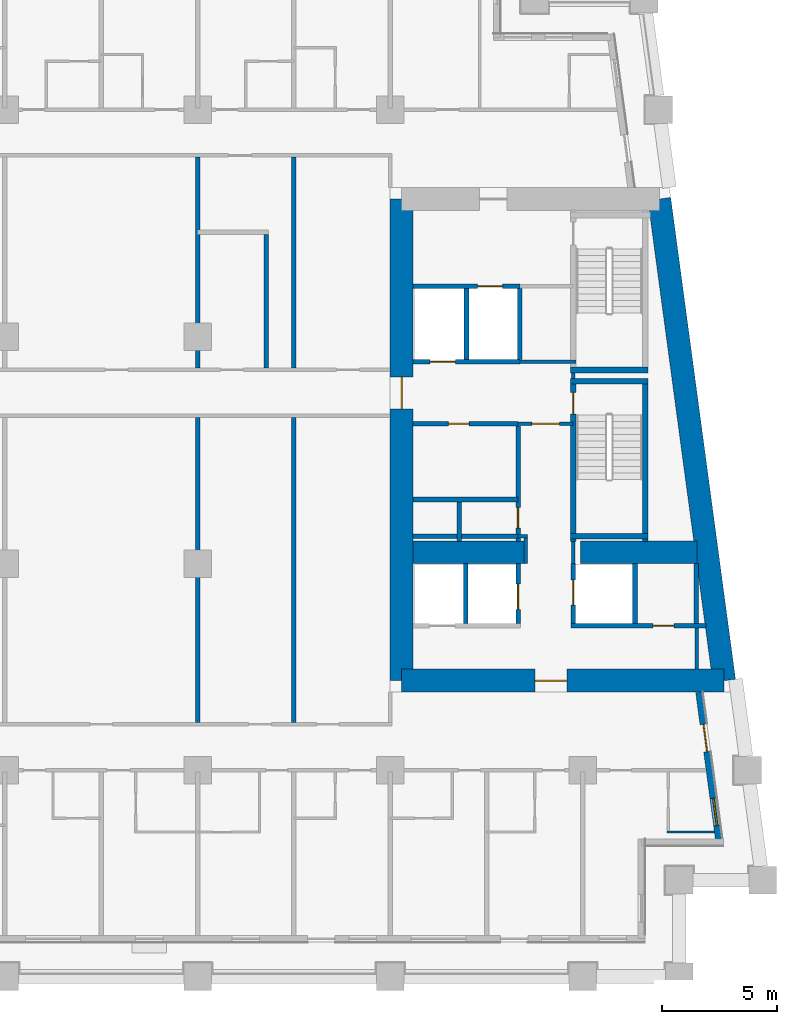
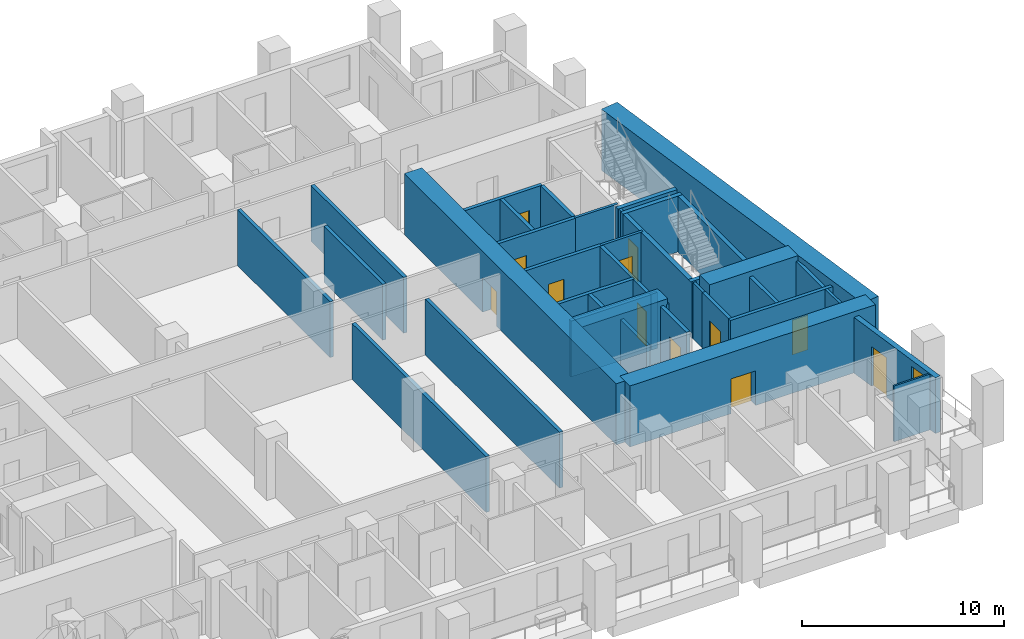
# One storey, part 6 of 14: 39 walls, 12 doors, 1 window, 13 openings.
"""IFC4 building model written with IfcOpenShell, lengths in metres."""

import ifcopenshell
import ifcopenshell.guid

model = None  # the IFC model being written
_history = None  # IfcOwnerHistory: only IFC2X3 demands one
_inside = {}  # id of a spatial element -> (the spatial element, [elements in it])
_under = {}  # id of a project, library or spatial element -> (it, [spatial elements below it])
_declared = {}  # id of a project -> (the project, [libraries it declares])
_typed = {}  # id of a type object -> (the type object, [elements of that type])
_made_of = {}  # id of a material, layer set ... -> (it, [elements and type objects made of it])


def new_model(schema):
    """Start an empty IFC model of exactly this schema.

    Asked for "IFC4X3", IfcOpenShell would pick the latest addendum, in which some entities
    have other attributes; the version numbers below select the first issue.
    IFC2X3 requires an IfcOwnerHistory on every rooted entity: one is made here for all.
    """
    global model, _history
    if schema == "IFC4X3":
        model = ifcopenshell.file(schema_version=(4, 3, 0, 0))
    else:
        model = ifcopenshell.file(schema=schema)
    _inside.clear()
    _under.clear()
    _declared.clear()
    _typed.clear()
    _made_of.clear()
    _history = None
    if model.schema == "IFC2X3":
        org = make("IfcOrganization", Name="unknown")
        user = make(
            "IfcPersonAndOrganization",
            ThePerson=make("IfcPerson", FamilyName="unknown"),
            TheOrganization=org,
        )
        app = make(
            "IfcApplication",
            ApplicationDeveloper=org,
            Version="unknown",
            ApplicationFullName="unknown",
            ApplicationIdentifier="unknown",
        )
        _history = make(
            "IfcOwnerHistory",
            OwningUser=user,
            OwningApplication=app,
            ChangeAction="ADDED",
            CreationDate=0,
        )
    return model


def make(cls, **values):
    """One entity of the class cls with the attributes given. An attribute that is None is left unset."""
    return model.create_entity(
        cls, **{name: value for name, value in values.items() if value is not None}
    )


def rooted(cls, **values):
    """An entity with a GlobalId (a new one), such as an element, a storey or a relation."""
    return make(cls, GlobalId=ifcopenshell.guid.new(), OwnerHistory=_history, **values)


def si_unit(unit_type, name, prefix=None):
    """IfcSIUnit, for example si_unit("LENGTHUNIT", "METRE", prefix="MILLI")."""
    return make("IfcSIUnit", UnitType=unit_type, Prefix=prefix, Name=name)


def assignment(units):
    """IfcUnitAssignment: the units of a project."""
    return None if units is None else make("IfcUnitAssignment", Units=units)


def point(xyz):
    """IfcCartesianPoint."""
    return None if xyz is None else make("IfcCartesianPoint", Coordinates=xyz)


def direction(xyz):
    """IfcDirection."""
    return None if xyz is None else make("IfcDirection", DirectionRatios=xyz)


def frame(location, z_axis=None, x_axis=None):
    """IfcAxis2Placement3D, a coordinate frame: its origin and axes. An axis left out is left unset."""
    return make(
        "IfcAxis2Placement3D",
        Location=point(location),
        Axis=direction(z_axis),
        RefDirection=direction(x_axis),
    )


def frame_2d(location, x_axis=None):
    """IfcAxis2Placement2D, a coordinate frame in the plane: its origin and x axis."""
    return make(
        "IfcAxis2Placement2D", Location=point(location), RefDirection=direction(x_axis)
    )


def origin():
    """The frame at (0, 0, 0) with its axes left unset."""
    return frame((0.0, 0.0, 0.0))


def place(relative_to, where):
    """IfcLocalPlacement: puts the frame where relative to a parent placement (None: the world)."""
    return make(
        "IfcLocalPlacement", PlacementRelTo=relative_to, RelativePlacement=where
    )


def context(
    kind, dimensions, precision=None, world=None, true_north=None, identifier=None
):
    """IfcGeometricRepresentationContext, for example the 3D "Model" context."""
    return make(
        "IfcGeometricRepresentationContext",
        ContextIdentifier=identifier,
        ContextType=kind,
        CoordinateSpaceDimension=dimensions,
        Precision=precision,
        WorldCoordinateSystem=world,
        TrueNorth=true_north,
    )


def subcontext(parent, identifier, kind, view, scale=None):
    """IfcGeometricRepresentationSubContext, for example "Body" below "Model"."""
    return make(
        "IfcGeometricRepresentationSubContext",
        ContextIdentifier=identifier,
        ContextType=kind,
        ParentContext=parent,
        TargetScale=scale,
        TargetView=view,
    )


def project(units=None, contexts=None):
    """IfcProject with its units and contexts."""
    return rooted(
        "IfcProject",
        Name="project",
        RepresentationContexts=contexts,
        UnitsInContext=assignment(units),
    )


def spatial(cls, under=None, at=None, **own):
    """A site, building, storey or space (cls), placed at a placement, below another one or the project."""
    s = rooted(cls, ObjectPlacement=at, **own)
    if under is not None:
        _under.setdefault(under.id(), (under, []))[1].append(s)
    return s


def profile(cls, at=None, kind="AREA", **sizes):
    """A parametric profile (cls). Its sizes go by their IFC names, for example OverallWidth=200.0."""
    return make(cls, ProfileType=kind, Position=at, **sizes)


def rectangle(**sizes):
    """IfcRectangleProfileDef."""
    return profile("IfcRectangleProfileDef", **sizes)


def extrude(swept, where, along, depth):
    """IfcExtrudedAreaSolid: the profile swept, set in the frame where, extruded along a direction by depth."""
    return make(
        "IfcExtrudedAreaSolid",
        SweptArea=swept,
        Position=where,
        ExtrudedDirection=direction(along),
        Depth=depth,
    )


def shape(context_of_items, identifier, shape_type, items):
    """IfcShapeRepresentation: the items that make up one representation, for example the "Body"."""
    return make(
        "IfcShapeRepresentation",
        ContextOfItems=context_of_items,
        RepresentationIdentifier=identifier,
        RepresentationType=shape_type,
        Items=items,
    )


def material(Name=None, Category=None):
    """IfcMaterial."""
    return make("IfcMaterial", Name=Name, Category=Category)


def layer(
    of_material, thickness, ventilated=None, Name=None, Category=None, Priority=None
):
    """IfcMaterialLayer: one layer of a wall or slab, of a material (None: an air gap)."""
    return make(
        "IfcMaterialLayer",
        Material=of_material,
        LayerThickness=thickness,
        IsVentilated=ventilated,
        Name=Name,
        Category=Category,
        Priority=Priority,
    )


def layer_set(layers, Name=None):
    """IfcMaterialLayerSet."""
    return make("IfcMaterialLayerSet", MaterialLayers=layers, LayerSetName=Name)


def made_of(thing, what):
    """Note that an element or type object is made of a material, layer set ...; save() writes the relation."""
    if what is not None:
        _made_of.setdefault(what.id(), (what, []))[1].append(thing)
    return thing


def type_object(cls, material=None, **own):
    """A type object (cls), such as IfcWallType, which elements share."""
    return made_of(rooted(cls, **own), material)


def element(
    cls,
    number,
    at=None,
    inside=None,
    cuts=None,
    type_object=None,
    material=None,
    context=None,
    identifier="Body",
    shape_type=None,
    held_by="IfcProductDefinitionShape",
    body=None,
    shapes=None,
    **own,
):
    """One element of the class cls, such as IfcWall. Its Tag is "e" and its number.

    at: its placement. inside: the storey or other place that contains it. cuts: it is an
    opening in that element (IfcRelVoidsElement). A single representation is given by context,
    identifier, shape_type and body (its items); several are given by shapes. held_by: the class
    of the entity that holds the representations. save() writes the other relations.
    """
    e = rooted(cls, Tag="e%d" % number, ObjectPlacement=at, **own)
    if body is not None:
        shapes = [shape(context, identifier, shape_type, body)]
    if shapes is not None:
        e.Representation = make(held_by, Representations=shapes)
    if inside is not None:
        _inside.setdefault(inside.id(), (inside, []))[1].append(e)
    if cuts is not None:
        rooted(
            "IfcRelVoidsElement", RelatingBuildingElement=cuts, RelatedOpeningElement=e
        )
    if type_object is not None:
        _typed.setdefault(type_object.id(), (type_object, []))[1].append(e)
    return made_of(e, material)


def fill(opening, filler):
    """IfcRelFillsElement: the door or window that sits in an opening."""
    return rooted(
        "IfcRelFillsElement",
        RelatingOpeningElement=opening,
        RelatedBuildingElement=filler,
    )


def aggregate(whole, parts):
    """IfcRelAggregates: a whole, such as a stair, and the parts it consists of."""
    return rooted("IfcRelAggregates", RelatingObject=whole, RelatedObjects=parts)


def save(model, path):
    """Write the relations noted so far, then the file.

    IfcRelAggregates (storeys below a building ...), IfcRelContainedInSpatialStructure (elements
    in a storey), IfcRelDefinesByType, IfcRelAssociatesMaterial and IfcRelDeclares: one each for
    every whole, place, type object, material and project.
    """
    for whole, parts in _under.values():
        aggregate(whole, parts)
    for where, things in _inside.values():
        rooted(
            "IfcRelContainedInSpatialStructure",
            RelatedElements=things,
            RelatingStructure=where,
        )
    for kind, things in _typed.values():
        rooted("IfcRelDefinesByType", RelatedObjects=things, RelatingType=kind)
    for what, things in _made_of.values():
        rooted("IfcRelAssociatesMaterial", RelatedObjects=things, RelatingMaterial=what)
    for by, libraries in _declared.values():
        rooted("IfcRelDeclares", RelatingContext=by, RelatedDefinitions=libraries)
    model.write(path)


model = new_model("IFC4")

# Units and contexts
model_context = context("Model", 3, precision=1e-05, world=origin(), true_north=direction((0.0, 1.0)))
body_context = subcontext(model_context, "Body", "Model", "MODEL_VIEW")
ifc_project = project(units=[si_unit("LENGTHUNIT", "METRE"), si_unit("AREAUNIT", "SQUARE_METRE"), si_unit("VOLUMEUNIT", "CUBIC_METRE"), si_unit("PLANEANGLEUNIT", "RADIAN"), si_unit("MASSUNIT", "GRAM", prefix="KILO")], contexts=[model_context])

# Site, building, storey
site_placement = place(None, origin())
site = spatial("IfcSite", under=ifc_project, at=site_placement, CompositionType="ELEMENT")
building_placement = place(site_placement, origin())
building = spatial("IfcBuilding", under=site, at=building_placement, Name="Candeia Pilgrim Tower and Theatre", CompositionType="ELEMENT")
storey_placement = place(building_placement, frame((0.0, 0.0, 124.300048828125)))
storey = spatial("IfcBuildingStorey", under=building, at=storey_placement, Name="L29", CompositionType="ELEMENT", Elevation=124.300048828125)

# Wall
ifc_material_1 = material(Name="Concrete C70/85", Category="concrete")
ifc_layer_1 = layer(ifc_material_1, 1.0)
ifc_layer_set_1 = layer_set([ifc_layer_1], Name="Core wall 1000 C70/85")
wall_type_1 = type_object("IfcWallType", Name="Core wall 1000 C70/85", PredefinedType="SHEAR", material=ifc_layer_set_1)
wall_1_placement = place(storey_placement, frame((137.73193359375, 131.89990234375, 0.0), z_axis=(0.0, 0.0, 1.0), x_axis=(0.133411141623, -0.991060778808, 0.0)))
element("IfcWall", 1, at=wall_1_placement, inside=storey, type_object=wall_type_1, Name="Core wall E2", PredefinedType="SHEAR", context=body_context, shape_type="SweptSolid", body=[
    extrude(rectangle(XDim=21.189453125, YDim=1.0, at=frame_2d((10.5947265625, 0.0))), origin(), (0.0, 0.0, 1.0), 3.699951171875),
])

# Wall, opening, door
wall_2_placement = place(storey_placement, frame((140.558837890625, 110.89990234375, 0.0), z_axis=(0.0, 0.0, 1.0), x_axis=(-1.0, 0.0, 0.0)))
wall_2 = element("IfcWall", 2, at=wall_2_placement, inside=storey, type_object=wall_type_1, Name="Core wall E3", PredefinedType="SHEAR", context=body_context, shape_type="SweptSolid", body=[
    extrude(rectangle(XDim=14.058837890625, YDim=1.0, at=frame_2d((7.029296875, 0.0))), origin(), (0.0, 0.0, 1.0), 3.699951171875),
])
opening_1_placement = place(wall_2_placement, frame((6.857666015625, 0.0, 0.0)))
opening_1 = element("IfcOpeningElement", 3, at=opening_1_placement, cuts=wall_2, Name="Opening L29-D069", PredefinedType="OPENING", context=body_context, shape_type="SweptSolid", body=[
    extrude(rectangle(XDim=1.39990234375, YDim=2.10009765625, at=frame_2d((0.699951171875, 1.050048828125))), frame((0.0, 0.510009765625, 0.0), z_axis=(0.0, -1.0, 0.0), x_axis=(1.0, 0.0, 0.0)), (0.0, 0.0, 1.0), 1.02001953125),
])
ifc_material_2 = material(Name="Steel fire door set", Category="steel")
door_type_1 = type_object("IfcDoorType", Name="D-1400-FD60", OperationType="NOTDEFINED", PredefinedType="DOOR", material=ifc_material_2)
door_1_placement = place(opening_1_placement, origin())
door_1 = element("IfcDoor", 4, at=door_1_placement, inside=storey, type_object=door_type_1, Name="Door L29-D069", OperationType="SINGLE_SWING_RIGHT", OverallHeight=2.10009765625, OverallWidth=1.39990234375, PredefinedType="DOOR", context=body_context, shape_type="SweptSolid", body=[
    extrude(rectangle(XDim=1.39990234375, YDim=2.10009765625, at=frame_2d((0.699951171875, 1.050048828125))), frame((0.0, 0.02490234375, 0.0), z_axis=(0.0, -1.0, 0.0), x_axis=(1.0, 0.0, 0.0)), (0.0, 0.0, 1.0), 0.050048828125),
])
fill(opening_1, door_1)

wall_3_placement = place(storey_placement, frame((126.5, 110.89990234375, 0.0), z_axis=(0.0, 0.0, 1.0), x_axis=(0.0, 1.0, 0.0)))
wall_3 = element("IfcWall", 5, at=wall_3_placement, inside=storey, type_object=wall_type_1, Name="Core wall E4", PredefinedType="SHEAR", context=body_context, shape_type="SweptSolid", body=[
    extrude(rectangle(XDim=21.0, YDim=1.0, at=frame_2d((10.5, 0.0))), origin(), (0.0, 0.0, 1.0), 3.699951171875),
])
opening_2_placement = place(wall_3_placement, frame((11.85009765625, 0.0, 0.0)))
opening_2 = element("IfcOpeningElement", 6, at=opening_2_placement, cuts=wall_3, Name="Opening L29-D071", PredefinedType="OPENING", context=body_context, shape_type="SweptSolid", body=[
    extrude(rectangle(XDim=1.39990234375, YDim=2.10009765625, at=frame_2d((0.699951171875, 1.050048828125))), frame((0.0, 0.510009765625, 0.0), z_axis=(0.0, -1.0, 0.0), x_axis=(1.0, 0.0, 0.0)), (0.0, 0.0, 1.0), 1.02001953125),
])
door_2_placement = place(opening_2_placement, origin())
door_2 = element("IfcDoor", 7, at=door_2_placement, inside=storey, type_object=door_type_1, Name="Door L29-D071", OperationType="SINGLE_SWING_RIGHT", OverallHeight=2.10009765625, OverallWidth=1.39990234375, PredefinedType="DOOR", context=body_context, shape_type="SweptSolid", body=[
    extrude(rectangle(XDim=1.39990234375, YDim=2.10009765625, at=frame_2d((0.699951171875, 1.050048828125))), frame((0.0, 0.02490234375, 0.0), z_axis=(0.0, -1.0, 0.0), x_axis=(1.0, 0.0, 0.0)), (0.0, 0.0, 1.0), 0.050048828125),
])
fill(opening_2, door_2)

# Walls
wall_4_placement = place(storey_placement, frame((127.0, 116.5, 0.0), z_axis=(0.0, 0.0, 1.0), x_axis=(1.0, 0.0, 0.0)))
element("IfcWall", 8, at=wall_4_placement, inside=storey, type_object=wall_type_1, Name="Core wall E5", PredefinedType="SHEAR", context=body_context, shape_type="SweptSolid", body=[
    extrude(rectangle(XDim=4.89990234375, YDim=1.0, at=frame_2d((2.449951171875, 0.0))), origin(), (0.0, 0.0, 1.0), 3.699951171875),
])
wall_5_placement = place(storey_placement, frame((134.300048828125, 116.5, 0.0), z_axis=(0.0, 0.0, 1.0), x_axis=(1.0, 0.0, 0.0)))
element("IfcWall", 9, at=wall_5_placement, inside=storey, type_object=wall_type_1, Name="Core wall E6", PredefinedType="SHEAR", context=body_context, shape_type="SweptSolid", body=[
    extrude(rectangle(XDim=5.076904296875, YDim=1.0, at=frame_2d((2.53857421875, 0.0))), origin(), (0.0, 0.0, 1.0), 3.699951171875),
])

# Wall, openings, door, window
ifc_material_3 = material(Name="Ceramic block masonry", Category="masonry")
ifc_layer_2 = layer(ifc_material_3, 0.300048828125)
ifc_layer_set_2 = layer_set([ifc_layer_2], Name="EW1 glazing-line wall 300")
wall_type_2 = type_object("IfcWallType", Name="EW1 glazing-line wall 300", PredefinedType="SOLIDWALL", material=ifc_layer_set_2)
wall_6_placement = place(storey_placement, frame((140.34765625, 103.85009765625, 0.0), z_axis=(0.0, 0.0, 1.0), x_axis=(-0.133431549479, 0.991058031401, 0.0)))
wall_6 = element("IfcWall", 10, at=wall_6_placement, inside=storey, type_object=wall_type_2, Name="External wall L29-3.0", PredefinedType="SOLIDWALL", context=body_context, shape_type="SweptSolid", body=[
    extrude(rectangle(XDim=6.60888671875, YDim=0.300048828125, at=frame_2d((3.304443359375, 0.0))), origin(), (0.0, 0.0, 1.0), 3.3798828125),
])
opening_3_placement = place(wall_6_placement, frame((0.736572265625, 0.0, 0.89990234375)))
opening_3 = element("IfcOpeningElement", 11, at=opening_3_placement, cuts=wall_6, Name="Opening W-B", PredefinedType="OPENING", context=body_context, shape_type="SweptSolid", body=[
    extrude(rectangle(XDim=1.199951171875, YDim=2.10009765625, at=frame_2d((0.60009765625, 1.050048828125))), frame((0.0, 0.16015625, 0.0), z_axis=(0.0, -1.0, 0.0), x_axis=(1.0, 0.0, 0.0)), (0.0, 0.0, 1.0), 0.320068359375),
])
opening_4_placement = place(wall_6_placement, frame((3.990966796875, 0.0, 0.0)))
opening_4 = element("IfcOpeningElement", 12, at=opening_4_placement, cuts=wall_6, Name="Opening L29-ED293", PredefinedType="OPENING", context=body_context, shape_type="SweptSolid", body=[
    extrude(rectangle(XDim=1.199951171875, YDim=2.39990234375, at=frame_2d((0.60009765625, 1.199951171875))), frame((0.0, 0.16015625, 0.0), z_axis=(0.0, -1.0, 0.0), x_axis=(1.0, 0.0, 0.0)), (0.0, 0.0, 1.0), 0.320068359375),
])
ifc_material_4 = material(Name="Aluminium framed glazed door", Category="aluminium")
door_type_2 = type_object("IfcDoorType", Name="Loggia door 1200x2400", OperationType="DOUBLE_DOOR_SINGLE_SWING", PredefinedType="DOOR", material=ifc_material_4)
door_3_placement = place(opening_4_placement, origin())
door_3 = element("IfcDoor", 13, at=door_3_placement, inside=storey, type_object=door_type_2, Name="Loggia door L29-ED293", OperationType="DOUBLE_DOOR_SINGLE_SWING", OverallHeight=2.39990234375, OverallWidth=1.199951171875, PredefinedType="DOOR", context=body_context, shape_type="SweptSolid", body=[
    extrude(rectangle(XDim=1.199951171875, YDim=2.39990234375, at=frame_2d((0.60009765625, 1.199951171875))), frame((0.0, 0.02490234375, 0.0), z_axis=(0.0, -1.0, 0.0), x_axis=(1.0, 0.0, 0.0)), (0.0, 0.0, 1.0), 0.050048828125),
])
fill(opening_4, door_3)
ifc_material_5 = material(Name="Aluminium framed double glazing", Category="aluminium")
window_type = type_object("IfcWindowType", Name="W-B window 1200x2100", PartitioningType="SINGLE_PANEL", PredefinedType="WINDOW", material=ifc_material_5)
window_placement = place(opening_3_placement, origin())
window = element("IfcWindow", 14, at=window_placement, inside=storey, type_object=window_type, Name="Window W-B L29", OverallHeight=2.10009765625, OverallWidth=1.199951171875, PartitioningType="SINGLE_PANEL", PredefinedType="WINDOW", context=body_context, shape_type="SweptSolid", body=[
    extrude(rectangle(XDim=1.199951171875, YDim=2.10009765625, at=frame_2d((0.60009765625, 1.050048828125))), frame((0.0, 0.030029296875, 0.0), z_axis=(0.0, -1.0, 0.0), x_axis=(1.0, 0.0, 0.0)), (0.0, 0.0, 1.0), 0.06005859375),
])
fill(opening_3, window)

# Walls
ifc_material_6 = material(Name="Gypsum board partition on steel studs", Category="steel")
ifc_layer_3 = layer(ifc_material_6, 0.10009765625)
ifc_layer_set_3 = layer_set([ifc_layer_3], Name="PW-100 room partition")
wall_type_3 = type_object("IfcWallType", Name="PW-100 room partition", PredefinedType="PARTITIONING", material=ifc_layer_set_3)
wall_7_placement = place(storey_placement, frame((138.070068359375, 104.300048828125, 0.0), z_axis=(0.0, 0.0, 1.0), x_axis=(1.0, 0.0, 0.0)))
element("IfcWall", 15, at=wall_7_placement, inside=storey, type_object=wall_type_3, Name="Room partition L29-003", PredefinedType="PARTITIONING", context=body_context, shape_type="SweptSolid", body=[
    extrude(rectangle(XDim=2.07568359375, YDim=0.10009765625, at=frame_2d((1.037841796875, 0.0))), origin(), (0.0, 0.0, 1.0), 3.3798828125),
])
ifc_layer_4 = layer(ifc_material_6, 0.14990234375)
ifc_layer_set_4 = layer_set([ifc_layer_4], Name="PW-150 lobby wall")
wall_type_4 = type_object("IfcWallType", Name="PW-150 lobby wall", PredefinedType="PARTITIONING", material=ifc_layer_set_4)
wall_8_placement = place(storey_placement, frame((131.572998046875, 117.199951171875, 0.0), z_axis=(0.0, 0.0, 1.0), x_axis=(1.0, 0.0, 0.0)))
element("IfcWall", 16, at=wall_8_placement, inside=storey, type_object=wall_type_4, Name="Lobby wall L29-021", PredefinedType="PARTITIONING", context=body_context, shape_type="SweptSolid", body=[
    extrude(rectangle(XDim=0.402099609375, YDim=0.14990234375, at=frame_2d((0.201171875, 0.0))), origin(), (0.0, 0.0, 1.0), 3.3798828125),
])

# Wall, opening, door
wall_9_placement = place(storey_placement, frame((131.572998046875, 122.10009765625, 0.0), z_axis=(0.0, 0.0, 1.0), x_axis=(1.0, 0.0, 0.0)))
wall_9 = element("IfcWall", 17, at=wall_9_placement, inside=storey, type_object=wall_type_4, Name="Lobby wall L29-029", PredefinedType="PARTITIONING", context=body_context, shape_type="SweptSolid", body=[
    extrude(rectangle(XDim=2.39990234375, YDim=0.14990234375, at=frame_2d((1.199951171875, 0.0))), origin(), (0.0, 0.0, 1.0), 3.3798828125),
])
opening_5_placement = place(wall_9_placement, frame((0.60009765625, 0.0, 0.0)))
opening_5 = element("IfcOpeningElement", 18, at=opening_5_placement, cuts=wall_9, Name="Opening L29-D008", PredefinedType="OPENING", context=body_context, shape_type="SweptSolid", body=[
    extrude(rectangle(XDim=1.199951171875, YDim=2.10009765625, at=frame_2d((0.60009765625, 1.050048828125))), frame((0.0, 0.0849609375, 0.0), z_axis=(0.0, -1.0, 0.0), x_axis=(1.0, 0.0, 0.0)), (0.0, 0.0, 1.0), 0.169921875),
])
door_type_3 = type_object("IfcDoorType", Name="D-1200-FD60", OperationType="NOTDEFINED", PredefinedType="DOOR", material=ifc_material_2)
door_4_placement = place(opening_5_placement, origin())
door_4 = element("IfcDoor", 19, at=door_4_placement, inside=storey, type_object=door_type_3, Name="Door L29-D008", OperationType="SINGLE_SWING_RIGHT", OverallHeight=2.10009765625, OverallWidth=1.199951171875, PredefinedType="DOOR", context=body_context, shape_type="SweptSolid", body=[
    extrude(rectangle(XDim=1.199951171875, YDim=2.10009765625, at=frame_2d((0.60009765625, 1.050048828125))), frame((0.0, 0.02490234375, 0.0), z_axis=(0.0, -1.0, 0.0), x_axis=(1.0, 0.0, 0.0)), (0.0, 0.0, 1.0), 0.050048828125),
])
fill(opening_5, door_4)

# Walls
wall_10_placement = place(storey_placement, frame((131.648681640625, 124.800048828125, 0.0), z_axis=(0.0, 0.0, 1.0), x_axis=(1.0, 0.0, 0.0)))
element("IfcWall", 20, at=wall_10_placement, inside=storey, type_object=wall_type_4, Name="Lobby wall L29-038", PredefinedType="PARTITIONING", context=body_context, shape_type="SweptSolid", body=[
    extrude(rectangle(XDim=2.44921875, YDim=0.14990234375, at=frame_2d((1.224609375, 0.0))), origin(), (0.0, 0.0, 1.0), 3.3798828125),
])
wall_11_placement = place(storey_placement, frame((131.89990234375, 116.0, 0.0), z_axis=(0.0, 0.0, 1.0), x_axis=(0.0, 1.0, 0.0)))
element("IfcWall", 21, at=wall_11_placement, inside=storey, type_object=wall_type_4, Name="Lobby wall L29-124", PredefinedType="PARTITIONING", context=body_context, shape_type="SweptSolid", body=[
    extrude(rectangle(XDim=1.125, YDim=0.14990234375, at=frame_2d((0.5625, 0.0))), origin(), (0.0, 0.0, 1.0), 3.3798828125),
])
wall_12_placement = place(storey_placement, frame((133.972900390625, 116.0, 0.0), z_axis=(0.0, 0.0, 1.0), x_axis=(0.0, 1.0, 0.0)))
element("IfcWall", 22, at=wall_12_placement, inside=storey, type_object=wall_type_4, Name="Lobby wall L29-128", PredefinedType="PARTITIONING", context=body_context, shape_type="SweptSolid", body=[
    extrude(rectangle(XDim=0.969970703125, YDim=0.14990234375, at=frame_2d((0.48486328125, 0.0))), origin(), (0.0, 0.0, 1.0), 3.3798828125),
])
wall_13_placement = place(storey_placement, frame((133.972900390625, 124.074951171875, 0.0), z_axis=(0.0, 0.0, 1.0), x_axis=(0.0, 1.0, 0.0)))
element("IfcWall", 23, at=wall_13_placement, inside=storey, type_object=wall_type_4, Name="Lobby wall L29-129", PredefinedType="PARTITIONING", context=body_context, shape_type="SweptSolid", body=[
    extrude(rectangle(XDim=0.25, YDim=0.14990234375, at=frame_2d((0.125, 0.0))), origin(), (0.0, 0.0, 1.0), 3.3798828125),
])
wall_14_placement = place(storey_placement, frame((139.37109375, 111.39990234375, 0.0), z_axis=(0.0, 0.0, 1.0), x_axis=(0.0, 1.0, 0.0)))
element("IfcWall", 24, at=wall_14_placement, inside=storey, type_object=wall_type_4, Name="Lobby wall L29-138", PredefinedType="PARTITIONING", context=body_context, shape_type="SweptSolid", body=[
    extrude(rectangle(XDim=1.800048828125, YDim=0.14990234375, at=frame_2d((0.89990234375, 0.0))), origin(), (0.0, 0.0, 1.0), 3.3798828125),
])
ifc_layer_5 = layer(ifc_material_6, 0.199951171875)
ifc_layer_set_5 = layer_set([ifc_layer_5], Name="PW-200 party wall")
wall_type_5 = type_object("IfcWallType", Name="PW-200 party wall", PredefinedType="PARTITIONING", material=ifc_layer_set_5)
wall_15_placement = place(storey_placement, frame((117.60009765625, 109.074951171875, 0.0), z_axis=(0.0, 0.0, 1.0), x_axis=(0.0, 1.0, 0.0)))
element("IfcWall", 25, at=wall_15_placement, inside=storey, type_object=wall_type_5, Name="Party wall L29-099", PredefinedType="PARTITIONING", context=body_context, shape_type="SweptSolid", body=[
    extrude(rectangle(XDim=13.300048828125, YDim=0.199951171875, at=frame_2d((6.64990234375, 0.0))), origin(), (0.0, 0.0, 1.0), 3.3798828125),
])
wall_16_placement = place(storey_placement, frame((117.60009765625, 124.52490234375, 0.0), z_axis=(0.0, 0.0, 1.0), x_axis=(0.0, 1.0, 0.0)))
element("IfcWall", 26, at=wall_16_placement, inside=storey, type_object=wall_type_5, Name="Party wall L29-100", PredefinedType="PARTITIONING", context=body_context, shape_type="SweptSolid", body=[
    extrude(rectangle(XDim=9.2001953125, YDim=0.199951171875, at=frame_2d((4.60009765625, 0.0))), origin(), (0.0, 0.0, 1.0), 3.3798828125),
])
wall_17_placement = place(storey_placement, frame((120.60009765625, 124.52490234375, 0.0), z_axis=(0.0, 0.0, 1.0), x_axis=(0.0, 1.0, 0.0)))
element("IfcWall", 27, at=wall_17_placement, inside=storey, type_object=wall_type_5, Name="Party wall L29-104", PredefinedType="PARTITIONING", context=body_context, shape_type="SweptSolid", body=[
    extrude(rectangle(XDim=5.8251953125, YDim=0.199951171875, at=frame_2d((2.91259765625, 0.0))), origin(), (0.0, 0.0, 1.0), 3.3798828125),
])
wall_18_placement = place(storey_placement, frame((121.800048828125, 109.074951171875, 0.0), z_axis=(0.0, 0.0, 1.0), x_axis=(0.0, 1.0, 0.0)))
element("IfcWall", 28, at=wall_18_placement, inside=storey, type_object=wall_type_5, Name="Party wall L29-106", PredefinedType="PARTITIONING", context=body_context, shape_type="SweptSolid", body=[
    extrude(rectangle(XDim=13.300048828125, YDim=0.199951171875, at=frame_2d((6.64990234375, 0.0))), origin(), (0.0, 0.0, 1.0), 3.3798828125),
])
wall_19_placement = place(storey_placement, frame((121.800048828125, 124.52490234375, 0.0), z_axis=(0.0, 0.0, 1.0), x_axis=(0.0, 1.0, 0.0)))
element("IfcWall", 29, at=wall_19_placement, inside=storey, type_object=wall_type_5, Name="Party wall L29-107", PredefinedType="PARTITIONING", context=body_context, shape_type="SweptSolid", body=[
    extrude(rectangle(XDim=9.2001953125, YDim=0.199951171875, at=frame_2d((4.60009765625, 0.0))), origin(), (0.0, 0.0, 1.0), 3.3798828125),
])

# Wall, opening, door
ifc_material_7 = material(Name="Concrete C40/50", Category="concrete")
ifc_layer_6 = layer(ifc_material_7, 0.199951171875)
ifc_layer_set_6 = layer_set([ifc_layer_6], Name="SW-200 shaft wall")
wall_type_6 = type_object("IfcWallType", Name="SW-200 shaft wall", PredefinedType="PARTITIONING", material=ifc_layer_set_6)
wall_20_placement = place(storey_placement, frame((133.873046875, 113.300048828125, 0.0), z_axis=(0.0, 0.0, 1.0), x_axis=(1.0, 0.0, 0.0)))
wall_20 = element("IfcWall", 30, at=wall_20_placement, inside=storey, type_object=wall_type_6, Name="Shaft wall L29-017", PredefinedType="PARTITIONING", context=body_context, shape_type="SweptSolid", body=[
    extrude(rectangle(XDim=5.888427734375, YDim=0.199951171875, at=frame_2d((2.9443359375, 0.0))), origin(), (0.0, 0.0, 1.0), 3.3798828125),
])
opening_6_placement = place(wall_20_placement, frame((3.589111328125, 0.0, 0.0)))
opening_6 = element("IfcOpeningElement", 31, at=opening_6_placement, cuts=wall_20, Name="Opening L29-D013", PredefinedType="OPENING", context=body_context, shape_type="SweptSolid", body=[
    extrude(rectangle(XDim=0.89990234375, YDim=2.10009765625, at=frame_2d((0.449951171875, 1.050048828125))), frame((0.0, 0.10986328125, 0.0), z_axis=(0.0, -1.0, 0.0), x_axis=(1.0, 0.0, 0.0)), (0.0, 0.0, 1.0), 0.219970703125),
])
door_type_4 = type_object("IfcDoorType", Name="D-900-FD60", OperationType="NOTDEFINED", PredefinedType="DOOR", material=ifc_material_2)
door_5_placement = place(opening_6_placement, origin())
door_5 = element("IfcDoor", 32, at=door_5_placement, inside=storey, type_object=door_type_4, Name="Door L29-D013", OperationType="SINGLE_SWING_RIGHT", OverallHeight=2.10009765625, OverallWidth=0.89990234375, PredefinedType="DOOR", context=body_context, shape_type="SweptSolid", body=[
    extrude(rectangle(XDim=0.89990234375, YDim=2.10009765625, at=frame_2d((0.449951171875, 1.050048828125))), frame((0.0, 0.02490234375, 0.0), z_axis=(0.0, -1.0, 0.0), x_axis=(1.0, 0.0, 0.0)), (0.0, 0.0, 1.0), 0.050048828125),
])
fill(opening_6, door_5)

# Walls
for number, where, z_axis, x_axis, name in (
    (33, (127.0, 117.199951171875, 0.0), (0.0, 0.0, 1.0), (1.0, 0.0, 0.0), "Shaft wall L29-019"),
    (34, (127.0, 118.800048828125, 0.0), (0.0, 0.0, 1.0), (1.0, 0.0, 0.0), "Shaft wall L29-025"),
):
    element("IfcWall", number, at=place(storey_placement, frame(where, z_axis=z_axis, x_axis=x_axis)), inside=storey, type_object=wall_type_6, Name=name, PredefinedType="PARTITIONING", context=body_context, shape_type="SweptSolid", body=[
        extrude(rectangle(XDim=4.572998046875, YDim=0.199951171875, at=frame_2d((2.28662109375, 0.0))), origin(), (0.0, 0.0, 1.0), 3.3798828125),
    ])

# Wall, opening, door
wall_21_placement = place(storey_placement, frame((127.0, 122.10009765625, 0.0), z_axis=(0.0, 0.0, 1.0), x_axis=(1.0, 0.0, 0.0)))
wall_21 = element("IfcWall", 35, at=wall_21_placement, inside=storey, type_object=wall_type_6, Name="Shaft wall L29-027", PredefinedType="PARTITIONING", context=body_context, shape_type="SweptSolid", body=[
    extrude(rectangle(XDim=4.572998046875, YDim=0.199951171875, at=frame_2d((2.28662109375, 0.0))), origin(), (0.0, 0.0, 1.0), 3.3798828125),
])
opening_7_placement = place(wall_21_placement, frame((1.5390625, 0.0, 0.0)))
opening_7 = element("IfcOpeningElement", 36, at=opening_7_placement, cuts=wall_21, Name="Opening L29-D009", PredefinedType="OPENING", context=body_context, shape_type="SweptSolid", body=[
    extrude(rectangle(XDim=0.89990234375, YDim=2.10009765625, at=frame_2d((0.449951171875, 1.050048828125))), frame((0.0, 0.10986328125, 0.0), z_axis=(0.0, -1.0, 0.0), x_axis=(1.0, 0.0, 0.0)), (0.0, 0.0, 1.0), 0.219970703125),
])
door_6_placement = place(opening_7_placement, origin())
door_6 = element("IfcDoor", 37, at=door_6_placement, inside=storey, type_object=door_type_4, Name="Door L29-D009", OperationType="SINGLE_SWING_LEFT", OverallHeight=2.10009765625, OverallWidth=0.89990234375, PredefinedType="DOOR", context=body_context, shape_type="SweptSolid", body=[
    extrude(rectangle(XDim=0.89990234375, YDim=2.10009765625, at=frame_2d((0.449951171875, 1.050048828125))), frame((0.0, 0.02490234375, 0.0), z_axis=(0.0, -1.0, 0.0), x_axis=(1.0, 0.0, 0.0)), (0.0, 0.0, 1.0), 0.050048828125),
])
fill(opening_7, door_6)

wall_22_placement = place(storey_placement, frame((127.0, 124.800048828125, 0.0), z_axis=(0.0, 0.0, 1.0), x_axis=(1.0, 0.0, 0.0)))
wall_22 = element("IfcWall", 38, at=wall_22_placement, inside=storey, type_object=wall_type_6, Name="Shaft wall L29-037", PredefinedType="PARTITIONING", context=body_context, shape_type="SweptSolid", body=[
    extrude(rectangle(XDim=4.648681640625, YDim=0.199951171875, at=frame_2d((2.32421875, 0.0))), origin(), (0.0, 0.0, 1.0), 3.3798828125),
])
opening_8_placement = place(wall_22_placement, frame((0.742919921875, 0.0, 0.0)))
opening_8 = element("IfcOpeningElement", 39, at=opening_8_placement, cuts=wall_22, Name="Opening L29-LD05", PredefinedType="OPENING", context=body_context, shape_type="SweptSolid", body=[
    extrude(rectangle(XDim=1.10009765625, YDim=2.10009765625, at=frame_2d((0.550048828125, 1.050048828125))), frame((0.0, 0.10986328125, 0.0), z_axis=(0.0, -1.0, 0.0), x_axis=(1.0, 0.0, 0.0)), (0.0, 0.0, 1.0), 0.219970703125),
])
ifc_material_8 = material(Name="Glazed aluminium landing door", Category="aluminium")
door_type_5 = type_object("IfcDoorType", Name="LD-1100-EI120", OperationType="SLIDING_TO_LEFT", PredefinedType="DOOR", material=ifc_material_8)
door_7_placement = place(opening_8_placement, origin())
door_7 = element("IfcDoor", 40, at=door_7_placement, inside=storey, type_object=door_type_5, Name="Landing door 05 L29", OperationType="SLIDING_TO_LEFT", OverallHeight=2.10009765625, OverallWidth=1.10009765625, PredefinedType="DOOR", context=body_context, shape_type="SweptSolid", body=[
    extrude(rectangle(XDim=1.10009765625, YDim=2.10009765625, at=frame_2d((0.550048828125, 1.050048828125))), frame((0.0, 0.02490234375, 0.0), z_axis=(0.0, -1.0, 0.0), x_axis=(1.0, 0.0, 0.0)), (0.0, 0.0, 1.0), 0.050048828125),
])
fill(opening_8, door_7)

wall_23_placement = place(storey_placement, frame((127.0, 128.10009765625, 0.0), z_axis=(0.0, 0.0, 1.0), x_axis=(1.0, 0.0, 0.0)))
wall_23 = element("IfcWall", 41, at=wall_23_placement, inside=storey, type_object=wall_type_6, Name="Shaft wall L29-040", PredefinedType="PARTITIONING", context=body_context, shape_type="SweptSolid", body=[
    extrude(rectangle(XDim=4.648681640625, YDim=0.199951171875, at=frame_2d((2.32421875, 0.0))), origin(), (0.0, 0.0, 1.0), 3.3798828125),
])
opening_9_placement = place(wall_23_placement, frame((2.804931640625, 0.0, 0.0)))
opening_9 = element("IfcOpeningElement", 42, at=opening_9_placement, cuts=wall_23, Name="Opening L29-LD04", PredefinedType="OPENING", context=body_context, shape_type="SweptSolid", body=[
    extrude(rectangle(XDim=1.10009765625, YDim=2.10009765625, at=frame_2d((0.550048828125, 1.050048828125))), frame((0.0, 0.10986328125, 0.0), z_axis=(0.0, -1.0, 0.0), x_axis=(1.0, 0.0, 0.0)), (0.0, 0.0, 1.0), 0.219970703125),
])
door_8_placement = place(opening_9_placement, origin())
door_8 = element("IfcDoor", 43, at=door_8_placement, inside=storey, type_object=door_type_5, Name="Landing door 04 L29", OperationType="SLIDING_TO_LEFT", OverallHeight=2.10009765625, OverallWidth=1.10009765625, PredefinedType="DOOR", context=body_context, shape_type="SweptSolid", body=[
    extrude(rectangle(XDim=1.10009765625, YDim=2.10009765625, at=frame_2d((0.550048828125, 1.050048828125))), frame((0.0, 0.02490234375, 0.0), z_axis=(0.0, -1.0, 0.0), x_axis=(1.0, 0.0, 0.0)), (0.0, 0.0, 1.0), 0.050048828125),
])
fill(opening_9, door_8)

# Walls
wall_24_placement = place(storey_placement, frame((129.0, 116.969970703125, 0.0), z_axis=(0.0, 0.0, 1.0), x_axis=(0.0, 1.0, 0.0)))
element("IfcWall", 44, at=wall_24_placement, inside=storey, type_object=wall_type_6, Name="Shaft wall L29-116", PredefinedType="PARTITIONING", context=body_context, shape_type="SweptSolid", body=[
    extrude(rectangle(XDim=1.72998046875, YDim=0.199951171875, at=frame_2d((0.864990234375, 0.0))), origin(), (0.0, 0.0, 1.0), 3.3798828125),
])
wall_25_placement = place(storey_placement, frame((129.28662109375, 113.39990234375, 0.0), z_axis=(0.0, 0.0, 1.0), x_axis=(0.0, 1.0, 0.0)))
element("IfcWall", 45, at=wall_25_placement, inside=storey, type_object=wall_type_6, Name="Shaft wall L29-117", PredefinedType="PARTITIONING", context=body_context, shape_type="SweptSolid", body=[
    extrude(rectangle(XDim=2.60009765625, YDim=0.199951171875, at=frame_2d((1.300048828125, 0.0))), origin(), (0.0, 0.0, 1.0), 3.3798828125),
])
wall_26_placement = place(storey_placement, frame((129.32421875, 124.89990234375, 0.0), z_axis=(0.0, 0.0, 1.0), x_axis=(0.0, 1.0, 0.0)))
element("IfcWall", 46, at=wall_26_placement, inside=storey, type_object=wall_type_6, Name="Shaft wall L29-118", PredefinedType="PARTITIONING", context=body_context, shape_type="SweptSolid", body=[
    extrude(rectangle(XDim=3.10009765625, YDim=0.199951171875, at=frame_2d((1.550048828125, 0.0))), origin(), (0.0, 0.0, 1.0), 3.3798828125),
])

# Wall, opening, door
wall_27_placement = place(storey_placement, frame((131.572998046875, 113.39990234375, 0.0), z_axis=(0.0, 0.0, 1.0), x_axis=(0.0, 1.0, 0.0)))
wall_27 = element("IfcWall", 47, at=wall_27_placement, inside=storey, type_object=wall_type_6, Name="Shaft wall L29-121", PredefinedType="PARTITIONING", context=body_context, shape_type="SweptSolid", body=[
    extrude(rectangle(XDim=2.60009765625, YDim=0.199951171875, at=frame_2d((1.300048828125, 0.0))), origin(), (0.0, 0.0, 1.0), 3.3798828125),
])
opening_10_placement = place(wall_27_placement, frame((0.610107421875, 0.0, 0.0)))
opening_10 = element("IfcOpeningElement", 48, at=opening_10_placement, cuts=wall_27, Name="Opening L29-LD07", PredefinedType="OPENING", context=body_context, shape_type="SweptSolid", body=[
    extrude(rectangle(XDim=1.10009765625, YDim=2.10009765625, at=frame_2d((0.550048828125, 1.050048828125))), frame((0.0, 0.10986328125, 0.0), z_axis=(0.0, -1.0, 0.0), x_axis=(1.0, 0.0, 0.0)), (0.0, 0.0, 1.0), 0.219970703125),
])
door_9_placement = place(opening_10_placement, origin())
door_9 = element("IfcDoor", 49, at=door_9_placement, inside=storey, type_object=door_type_5, Name="Landing door 07 L29", OperationType="SLIDING_TO_LEFT", OverallHeight=2.10009765625, OverallWidth=1.10009765625, PredefinedType="DOOR", context=body_context, shape_type="SweptSolid", body=[
    extrude(rectangle(XDim=1.10009765625, YDim=2.10009765625, at=frame_2d((0.550048828125, 1.050048828125))), frame((0.0, 0.02490234375, 0.0), z_axis=(0.0, -1.0, 0.0), x_axis=(1.0, 0.0, 0.0)), (0.0, 0.0, 1.0), 0.050048828125),
])
fill(opening_10, door_9)

wall_28_placement = place(storey_placement, frame((131.572998046875, 116.969970703125, 0.0), z_axis=(0.0, 0.0, 1.0), x_axis=(0.0, 1.0, 0.0)))
wall_28 = element("IfcWall", 50, at=wall_28_placement, inside=storey, type_object=wall_type_6, Name="Shaft wall L29-122", PredefinedType="PARTITIONING", context=body_context, shape_type="SweptSolid", body=[
    extrude(rectangle(XDim=5.030029296875, YDim=0.199951171875, at=frame_2d((2.51513671875, 0.0))), origin(), (0.0, 0.0, 1.0), 3.3798828125),
])
opening_11_placement = place(wall_28_placement, frame((0.580078125, 0.0, 0.0)))
opening_11 = element("IfcOpeningElement", 51, at=opening_11_placement, cuts=wall_28, Name="Opening L29-D012", PredefinedType="OPENING", context=body_context, shape_type="SweptSolid", body=[
    extrude(rectangle(XDim=0.89990234375, YDim=2.10009765625, at=frame_2d((0.449951171875, 1.050048828125))), frame((0.0, 0.10986328125, 0.0), z_axis=(0.0, -1.0, 0.0), x_axis=(1.0, 0.0, 0.0)), (0.0, 0.0, 1.0), 0.219970703125),
])
door_10_placement = place(opening_11_placement, origin())
door_10 = element("IfcDoor", 52, at=door_10_placement, inside=storey, type_object=door_type_4, Name="Door L29-D012", OperationType="SINGLE_SWING_RIGHT", OverallHeight=2.10009765625, OverallWidth=0.89990234375, PredefinedType="DOOR", context=body_context, shape_type="SweptSolid", body=[
    extrude(rectangle(XDim=0.89990234375, YDim=2.10009765625, at=frame_2d((0.449951171875, 1.050048828125))), frame((0.0, 0.02490234375, 0.0), z_axis=(0.0, -1.0, 0.0), x_axis=(1.0, 0.0, 0.0)), (0.0, 0.0, 1.0), 0.050048828125),
])
fill(opening_11, door_10)

# Wall
wall_29_placement = place(storey_placement, frame((131.648681640625, 124.89990234375, 0.0), z_axis=(0.0, 0.0, 1.0), x_axis=(0.0, 1.0, 0.0)))
element("IfcWall", 53, at=wall_29_placement, inside=storey, type_object=wall_type_6, Name="Shaft wall L29-123", PredefinedType="PARTITIONING", context=body_context, shape_type="SweptSolid", body=[
    extrude(rectangle(XDim=3.10009765625, YDim=0.199951171875, at=frame_2d((1.550048828125, 0.0))), origin(), (0.0, 0.0, 1.0), 3.3798828125),
])

# Wall, opening, door
wall_30_placement = place(storey_placement, frame((133.972900390625, 113.39990234375, 0.0), z_axis=(0.0, 0.0, 1.0), x_axis=(0.0, 1.0, 0.0)))
wall_30 = element("IfcWall", 54, at=wall_30_placement, inside=storey, type_object=wall_type_6, Name="Shaft wall L29-127", PredefinedType="PARTITIONING", context=body_context, shape_type="SweptSolid", body=[
    extrude(rectangle(XDim=2.60009765625, YDim=0.199951171875, at=frame_2d((1.300048828125, 0.0))), origin(), (0.0, 0.0, 1.0), 3.3798828125),
])
opening_12_placement = place(wall_30_placement, frame((0.7900390625, 0.0, 0.0)))
opening_12 = element("IfcOpeningElement", 55, at=opening_12_placement, cuts=wall_30, Name="Opening L29-LD06", PredefinedType="OPENING", context=body_context, shape_type="SweptSolid", body=[
    extrude(rectangle(XDim=1.10009765625, YDim=2.10009765625, at=frame_2d((0.550048828125, 1.050048828125))), frame((0.0, 0.10986328125, 0.0), z_axis=(0.0, -1.0, 0.0), x_axis=(1.0, 0.0, 0.0)), (0.0, 0.0, 1.0), 0.219970703125),
])
door_11_placement = place(opening_12_placement, origin())
door_11 = element("IfcDoor", 56, at=door_11_placement, inside=storey, type_object=door_type_5, Name="Landing door 06 L29", OperationType="SLIDING_TO_LEFT", OverallHeight=2.10009765625, OverallWidth=1.10009765625, PredefinedType="DOOR", context=body_context, shape_type="SweptSolid", body=[
    extrude(rectangle(XDim=1.10009765625, YDim=2.10009765625, at=frame_2d((0.550048828125, 1.050048828125))), frame((0.0, 0.02490234375, 0.0), z_axis=(0.0, -1.0, 0.0), x_axis=(1.0, 0.0, 0.0)), (0.0, 0.0, 1.0), 0.050048828125),
])
fill(opening_12, door_11)

# Walls
for number, where, z_axis, x_axis, name in (
    (57, (136.672119140625, 113.39990234375, 0.0), (0.0, 0.0, 1.0), (0.0, 1.0, 0.0), "Shaft wall L29-133"),
    (58, (139.348876953125, 113.39990234375, 0.0), (0.0, 0.0, 1.0), (0.0, 1.0, 0.0), "Shaft wall L29-137"),
):
    element("IfcWall", number, at=place(storey_placement, frame(where, z_axis=z_axis, x_axis=x_axis)), inside=storey, type_object=wall_type_6, Name=name, PredefinedType="PARTITIONING", context=body_context, shape_type="SweptSolid", body=[
        extrude(rectangle(XDim=2.60009765625, YDim=0.199951171875, at=frame_2d((1.300048828125, 0.0))), origin(), (0.0, 0.0, 1.0), 3.3798828125),
    ])
ifc_layer_7 = layer(ifc_material_7, 0.25)
ifc_layer_set_7 = layer_set([ifc_layer_7], Name="SW-250 stair wall")
wall_type_7 = type_object("IfcWallType", Name="SW-250 stair wall", PredefinedType="PARTITIONING", material=ifc_layer_set_7)
for number, where, z_axis, x_axis, name in (
    (59, (133.847900390625, 117.199951171875, 0.0), (0.0, 0.0, 1.0), (1.0, 0.0, 0.0), "Stair wall L29-023"),
    (60, (133.847900390625, 123.949951171875, 0.0), (0.0, 0.0, 1.0), (1.0, 0.0, 0.0), "Stair wall L29-032"),
    (61, (133.847900390625, 124.449951171875, 0.0), (0.0, 0.0, 1.0), (1.0, 0.0, 0.0), "Stair wall L29-034"),
):
    element("IfcWall", number, at=place(storey_placement, frame(where, z_axis=z_axis, x_axis=x_axis)), inside=storey, type_object=wall_type_7, Name=name, PredefinedType="PARTITIONING", context=body_context, shape_type="SweptSolid", body=[
        extrude(rectangle(XDim=3.400146484375, YDim=0.25, at=frame_2d((1.7001953125, 0.0))), origin(), (0.0, 0.0, 1.0), 3.3798828125),
    ])

# Wall, opening, door
wall_31_placement = place(storey_placement, frame((133.972900390625, 116.969970703125, 0.0), z_axis=(0.0, 0.0, 1.0), x_axis=(0.0, 1.0, 0.0)))
wall_31 = element("IfcWall", 62, at=wall_31_placement, inside=storey, type_object=wall_type_7, Name="Stair wall L29-130", PredefinedType="PARTITIONING", context=body_context, shape_type="SweptSolid", body=[
    extrude(rectangle(XDim=6.85498046875, YDim=0.25, at=frame_2d((3.427490234375, 0.0))), origin(), (0.0, 0.0, 1.0), 3.3798828125),
])
opening_13_placement = place(wall_31_placement, frame((5.554931640625, 0.0, 0.0)))
opening_13 = element("IfcOpeningElement", 63, at=opening_13_placement, cuts=wall_31, Name="Opening L29-D010", PredefinedType="OPENING", context=body_context, shape_type="SweptSolid", body=[
    extrude(rectangle(XDim=0.949951171875, YDim=2.10009765625, at=frame_2d((0.47509765625, 1.050048828125))), frame((0.0, 0.135009765625, 0.0), z_axis=(0.0, -1.0, 0.0), x_axis=(1.0, 0.0, 0.0)), (0.0, 0.0, 1.0), 0.27001953125),
])
door_type_6 = type_object("IfcDoorType", Name="D-950-FD60", OperationType="NOTDEFINED", PredefinedType="DOOR", material=ifc_material_2)
door_12_placement = place(opening_13_placement, origin())
door_12 = element("IfcDoor", 64, at=door_12_placement, inside=storey, type_object=door_type_6, Name="Door L29-D010", OperationType="SINGLE_SWING_RIGHT", OverallHeight=2.10009765625, OverallWidth=0.949951171875, PredefinedType="DOOR", context=body_context, shape_type="SweptSolid", body=[
    extrude(rectangle(XDim=0.949951171875, YDim=2.10009765625, at=frame_2d((0.47509765625, 1.050048828125))), frame((0.0, 0.02490234375, 0.0), z_axis=(0.0, -1.0, 0.0), x_axis=(1.0, 0.0, 0.0)), (0.0, 0.0, 1.0), 0.050048828125),
])
fill(opening_13, door_12)

# Wall
wall_32_placement = place(storey_placement, frame((137.123046875, 116.969970703125, 0.0), z_axis=(0.0, 0.0, 1.0), x_axis=(0.0, 1.0, 0.0)))
element("IfcWall", 65, at=wall_32_placement, inside=storey, type_object=wall_type_7, Name="Stair wall L29-134", PredefinedType="PARTITIONING", context=body_context, shape_type="SweptSolid", body=[
    extrude(rectangle(XDim=6.85498046875, YDim=0.25, at=frame_2d((3.427490234375, 0.0))), origin(), (0.0, 0.0, 1.0), 3.3798828125),
])

save(model, "model.ifc")
